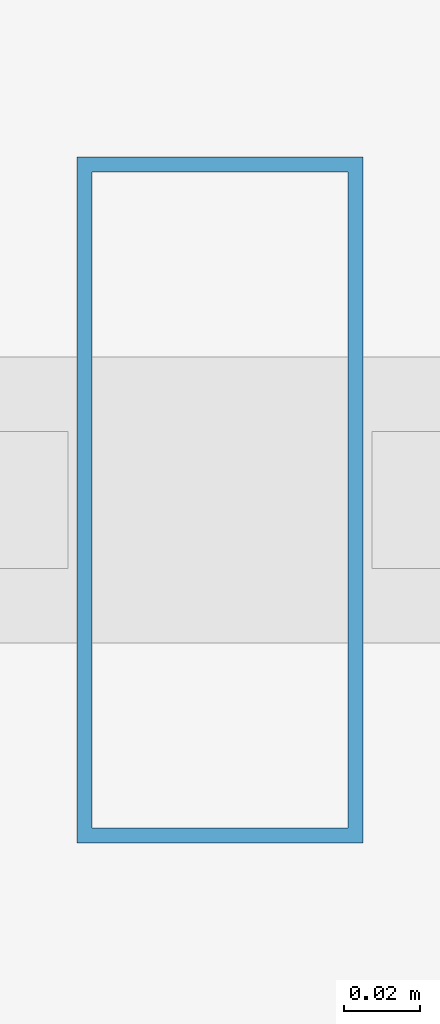
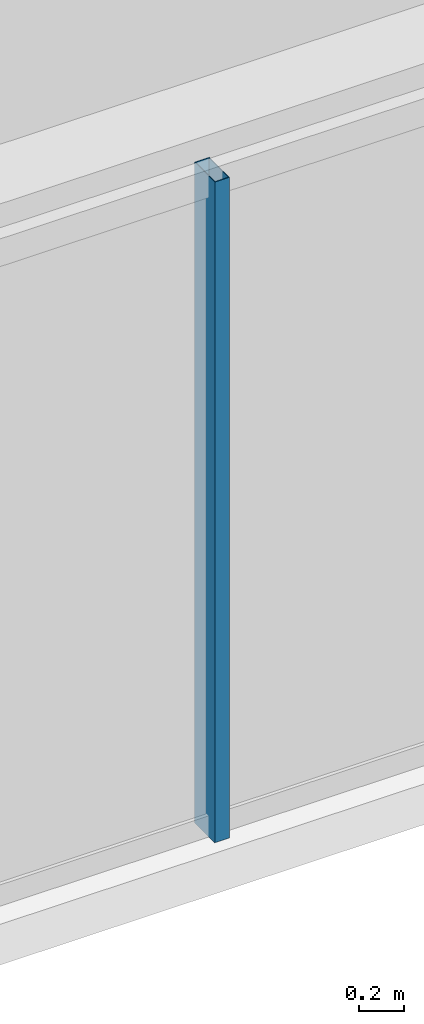
# One storey, part 7 of 32: 1 member, 1 element without a shape of its own.
"""IFC4 building model written with IfcOpenShell, lengths in metres."""

from ifc_helpers import new_model, si_unit, direction, frame, origin, origin_2d, place, context, subcontext, project, spatial, hollow_rectangle, extrude, material, layer, layer_set, material_profile, profile_set, type_object, element, aggregate, save


model = new_model("IFC4")

# Units and contexts
model_context = context("Model", 3, precision=1e-05, world=origin(), true_north=direction((0.0, 1.0)))
body_context = subcontext(model_context, "Body", "Model", "MODEL_VIEW")
ifc_project = project(units=[si_unit("LENGTHUNIT", "METRE"), si_unit("AREAUNIT", "SQUARE_METRE"), si_unit("VOLUMEUNIT", "CUBIC_METRE"), si_unit("PLANEANGLEUNIT", "RADIAN"), si_unit("MASSUNIT", "GRAM", prefix="KILO")], contexts=[model_context])

# Site, building, storey
site_placement = place(None, origin())
site = spatial("IfcSite", under=ifc_project, at=site_placement, CompositionType="ELEMENT")
building_placement = place(site_placement, origin())
building = spatial("IfcBuilding", under=site, at=building_placement, Name="Ndaravel Arena Tower", CompositionType="ELEMENT")
storey_placement = place(building_placement, frame((0.0, 0.0, 287.10009765625)))
storey = spatial("IfcBuildingStorey", under=building, at=storey_placement, Name="L70", CompositionType="ELEMENT", Elevation=287.10009765625)

# Curtain wall, member
ifc_material_1 = material(Name="Aluminium", Category="aluminium")
ifc_layer = layer(ifc_material_1, 0.179931640625)
ifc_layer_set = layer_set([ifc_layer], Name="Aluminium")
curtain_wall_type = type_object("IfcCurtainWallType", Name="CW-SYS-03", PredefinedType="NOTDEFINED", material=ifc_layer_set)
curtain_wall_placement = place(storey_placement, origin())
curtain_wall = element("IfcCurtainWall", 1, at=curtain_wall_placement, inside=storey, type_object=curtain_wall_type, Name="L70 Faceted Crystal Curtain Wall CW-L70-E01", PredefinedType="NOTDEFINED")
ifc_material_2 = material(Name="Aluminium", Category="aluminium")
ifc_material_profile = material_profile(ifc_material_2, hollow_rectangle(XDim=0.074951171875, YDim=0.179931640625, WallThickness=0.00390625, at=origin_2d()), Name="CW MULLION 75x180x4")
ifc_profile_set = profile_set([ifc_material_profile], Name="Aluminium")
member_type = type_object("IfcMemberType", Name="MEM-CW-MUL180", PredefinedType="MULLION", material=ifc_profile_set)
member_placement = place(storey_placement, frame((39.77392578125, 5.159912109375, 0.0), z_axis=(0.0, 0.0, 1.0), x_axis=(1.0, 0.0, 0.0)))
member = element("IfcMember", 2, at=member_placement, type_object=member_type, Name="CW-L70-E01 Mullion 04", PredefinedType="MULLION", context=body_context, shape_type="SweptSolid", body=[
    extrude(hollow_rectangle(XDim=0.074951171875, YDim=0.179931640625, WallThickness=0.00390625, at=origin_2d()), origin(), (0.0, 0.0, 1.0), 3.579833984375),
])
aggregate(curtain_wall, [member])

save(model, "model.ifc")
